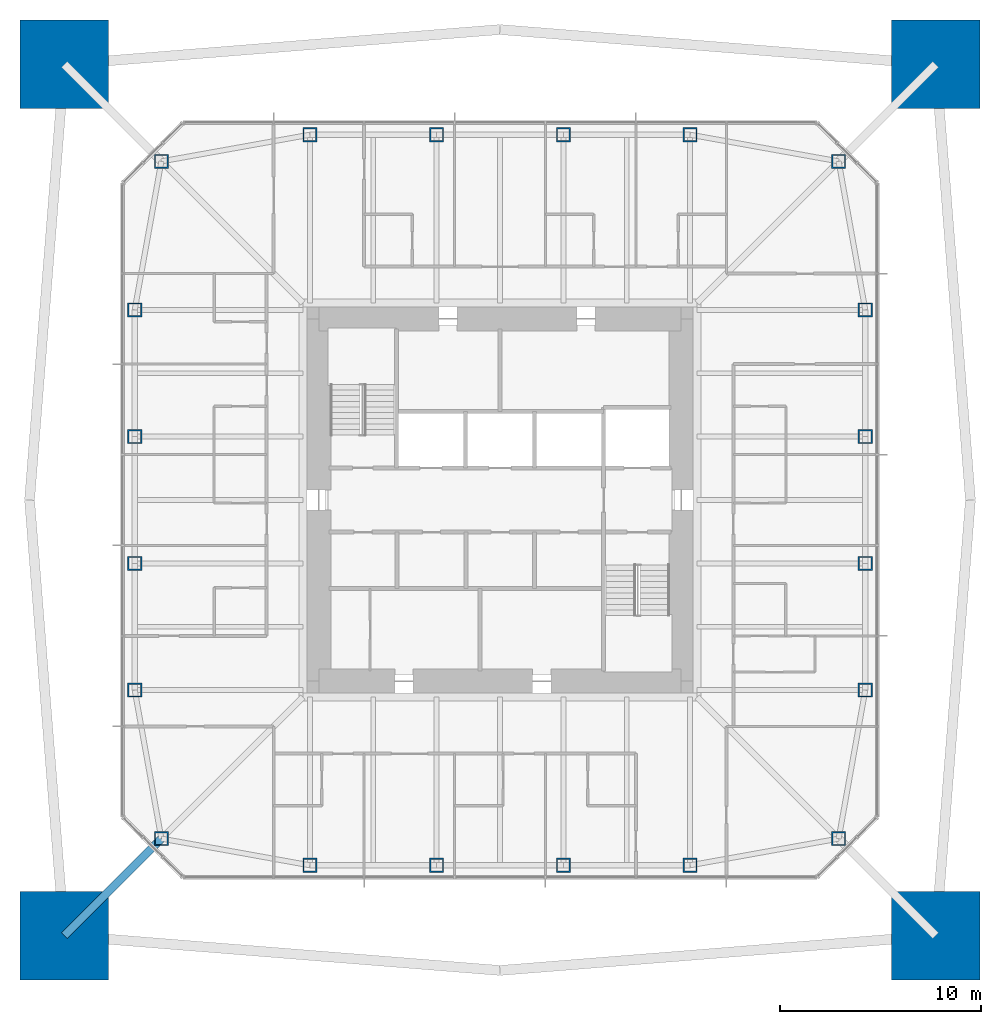
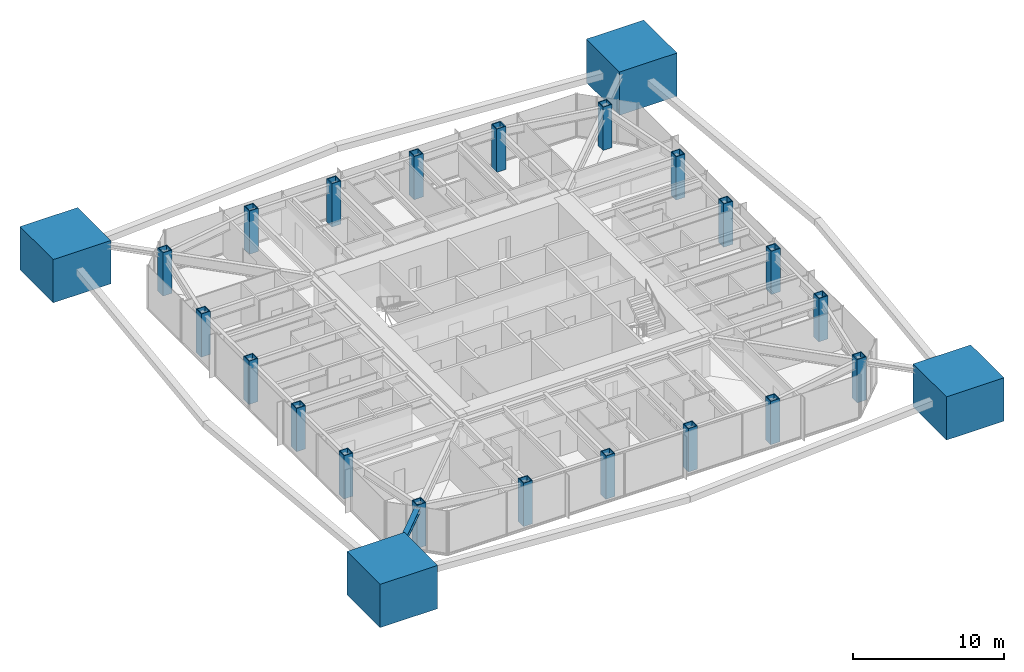
# One storey, part 1 of 13: 24 columns, 1 member.
"""IFC4 building model written with IfcOpenShell, lengths in metres."""

from ifc_helpers import new_model, si_unit, direction, frame, origin, origin_2d, place, context, subcontext, project, spatial, rectangle, hollow_rectangle, i_section, extrude, material, material_profile, profile_set, type_object, element, save


model = new_model("IFC4")

# Units and contexts
model_context = context("Model", 3, precision=1e-05, world=origin(), true_north=direction((0.0, 1.0)))
body_context = subcontext(model_context, "Body", "Model", "MODEL_VIEW")
ifc_project = project(units=[si_unit("LENGTHUNIT", "METRE"), si_unit("AREAUNIT", "SQUARE_METRE"), si_unit("VOLUMEUNIT", "CUBIC_METRE"), si_unit("PLANEANGLEUNIT", "RADIAN"), si_unit("MASSUNIT", "GRAM", prefix="KILO")], contexts=[model_context])

# Site, building, storey
site_placement = place(None, origin())
site = spatial("IfcSite", under=ifc_project, at=site_placement, CompositionType="ELEMENT")
building_placement = place(site_placement, origin())
building = spatial("IfcBuilding", under=site, at=building_placement, Name="Iwan Alto Co-Living Towers", CompositionType="ELEMENT")
storey_placement = place(building_placement, frame((0.0, 0.0, 160.0)))
storey = spatial("IfcBuildingStorey", under=building, at=storey_placement, Name="L43", CompositionType="ELEMENT", Elevation=160.0)

# Columns
ifc_material_1 = material(Name="Concrete f'c 70 MPa", Category="concrete")
ifc_material_profile_1 = material_profile(ifc_material_1, rectangle(XDim=4.39990234375, YDim=4.39990234375, at=origin_2d()), Name="RC 4400X4400")
ifc_profile_set_1 = profile_set([ifc_material_profile_1], Name="Concrete f'c 70 MPa")
column_type_1 = type_object("IfcColumnType", Name="T1 MEGA COLUMN RC 4400X4400", PredefinedType="COLUMN", material=ifc_profile_set_1)
for number, where, z_axis, x_axis, name in (
    (1, (-21.64990234375, -21.64990234375, 0.0), (0.0, 0.0, 1.0), (1.0, 0.0, 0.0), "T1 mega column SW L43"),
    (2, (21.64990234375, -21.64990234375, 0.0), (0.0, 0.0, 1.0), (1.0, 0.0, 0.0), "T1 mega column SE L43"),
    (3, (21.64990234375, 21.64990234375, 0.0), (0.0, 0.0, 1.0), (1.0, 0.0, 0.0), "T1 mega column NE L43"),
    (4, (-21.64990234375, 21.64990234375, 0.0), (0.0, 0.0, 1.0), (1.0, 0.0, 0.0), "T1 mega column NW L43"),
):
    element("IfcColumn", number, at=place(storey_placement, frame(where, z_axis=z_axis, x_axis=x_axis)), inside=storey, type_object=column_type_1, Name=name, PredefinedType="COLUMN", context=body_context, shape_type="SweptSolid", body=[
        extrude(rectangle(XDim=4.39990234375, YDim=4.39990234375, at=origin_2d()), origin(), (0.0, 0.0, 1.0), 3.5),
        extrude(i_section(OverallWidth=0.4775390625, OverallDepth=0.599365234375, WebThickness=0.10009765625, FlangeThickness=0.139892578125, at=origin_2d()), origin(), (0.0, 0.0, 1.0), 3.5),
    ])
ifc_material_2 = material(Name="Steel ASTM A572 Gr 50", Category="steel")
ifc_material_profile_2 = material_profile(ifc_material_2, hollow_rectangle(XDim=0.699951171875, YDim=0.699951171875, WallThickness=0.06005859375, at=origin_2d()), Name="BOX 700X700X60")
ifc_profile_set_2 = profile_set([ifc_material_profile_2], Name="Steel ASTM A572 Gr 50")
column_type_2 = type_object("IfcColumnType", Name="T1 RING COLUMN BOX 700X700X60", PredefinedType="COLUMN", material=ifc_profile_set_2)
for number, where, z_axis, x_axis, name in (
    (5, (-16.82568359375, -16.82568359375, 0.0), (0.0, 0.0, 1.0), (1.0, 0.0, 0.0), "T1 ring column CSW L43"),
    (6, (-9.449951171875, -18.14990234375, 0.0), (0.0, 0.0, 1.0), (1.0, 0.0, 0.0), "T1 ring column S1 L43"),
    (7, (-3.14990234375, -18.14990234375, 0.0), (0.0, 0.0, 1.0), (1.0, 0.0, 0.0), "T1 ring column S2 L43"),
    (8, (3.14990234375, -18.14990234375, 0.0), (0.0, 0.0, 1.0), (1.0, 0.0, 0.0), "T1 ring column S3 L43"),
    (9, (9.449951171875, -18.14990234375, 0.0), (0.0, 0.0, 1.0), (1.0, 0.0, 0.0), "T1 ring column S4 L43"),
    (10, (16.82568359375, -16.82568359375, 0.0), (0.0, 0.0, 1.0), (1.0, 0.0, 0.0), "T1 ring column CSE L43"),
    (11, (18.14990234375, -9.449951171875, 0.0), (0.0, 0.0, 1.0), (1.0, 0.0, 0.0), "T1 ring column E1 L43"),
    (12, (18.14990234375, -3.14990234375, 0.0), (0.0, 0.0, 1.0), (1.0, 0.0, 0.0), "T1 ring column E2 L43"),
    (13, (18.14990234375, 3.14990234375, 0.0), (0.0, 0.0, 1.0), (1.0, 0.0, 0.0), "T1 ring column E3 L43"),
    (14, (18.14990234375, 9.449951171875, 0.0), (0.0, 0.0, 1.0), (1.0, 0.0, 0.0), "T1 ring column E4 L43"),
    (15, (16.82568359375, 16.82568359375, 0.0), (0.0, 0.0, 1.0), (1.0, 0.0, 0.0), "T1 ring column CNE L43"),
    (16, (9.449951171875, 18.14990234375, 0.0), (0.0, 0.0, 1.0), (1.0, 0.0, 0.0), "T1 ring column N1 L43"),
    (17, (3.14990234375, 18.14990234375, 0.0), (0.0, 0.0, 1.0), (1.0, 0.0, 0.0), "T1 ring column N2 L43"),
    (18, (-3.14990234375, 18.14990234375, 0.0), (0.0, 0.0, 1.0), (1.0, 0.0, 0.0), "T1 ring column N3 L43"),
    (19, (-9.449951171875, 18.14990234375, 0.0), (0.0, 0.0, 1.0), (1.0, 0.0, 0.0), "T1 ring column N4 L43"),
    (20, (-16.82568359375, 16.82568359375, 0.0), (0.0, 0.0, 1.0), (1.0, 0.0, 0.0), "T1 ring column CNW L43"),
    (21, (-18.14990234375, 9.449951171875, 0.0), (0.0, 0.0, 1.0), (1.0, 0.0, 0.0), "T1 ring column W1 L43"),
    (22, (-18.14990234375, 3.14990234375, 0.0), (0.0, 0.0, 1.0), (1.0, 0.0, 0.0), "T1 ring column W2 L43"),
    (23, (-18.14990234375, -3.14990234375, 0.0), (0.0, 0.0, 1.0), (1.0, 0.0, 0.0), "T1 ring column W3 L43"),
    (24, (-18.14990234375, -9.449951171875, 0.0), (0.0, 0.0, 1.0), (1.0, 0.0, 0.0), "T1 ring column W4 L43"),
):
    element("IfcColumn", number, at=place(storey_placement, frame(where, z_axis=z_axis, x_axis=x_axis)), inside=storey, type_object=column_type_2, Name=name, PredefinedType="COLUMN", context=body_context, shape_type="SweptSolid", body=[
        extrude(hollow_rectangle(XDim=0.699951171875, YDim=0.699951171875, WallThickness=0.06005859375, at=origin_2d()), origin(), (0.0, 0.0, 1.0), 3.5),
    ])

# Member
ifc_material_3 = material(Name="Steel ASTM A992 Gr 50", Category="steel")
ifc_material_profile_3 = material_profile(ifc_material_3, i_section(OverallWidth=0.393798828125, OverallDepth=0.3759765625, WebThickness=0.017333984375, FlangeThickness=0.027587890625, at=origin_2d()), Name="W14X145")
ifc_profile_set_3 = profile_set([ifc_material_profile_3], Name="Steel ASTM A992 Gr 50")
member_type = type_object("IfcMemberType", Name="T1 MEGA COLUMN FLOOR TIE W14X145", PredefinedType="STRUT", material=ifc_profile_set_3)
member_placement = place(storey_placement, frame((-21.64990234375, -21.64990234375, 3.08203125), z_axis=(0.707106781187, 0.707106781187, 0.0), x_axis=(-0.707106781187, 0.707106781187, 0.0)))
element("IfcMember", 25, at=member_placement, inside=storey, type_object=member_type, Name="T1 mega column floor tie SW L44", PredefinedType="STRUT", context=body_context, shape_type="SweptSolid", body=[
    extrude(i_section(OverallWidth=0.393798828125, OverallDepth=0.3759765625, WebThickness=0.017333984375, FlangeThickness=0.027587890625, at=origin_2d()), origin(), (0.0, 0.0, 1.0), 6.822509765625),
])

save(model, "model.ifc")
